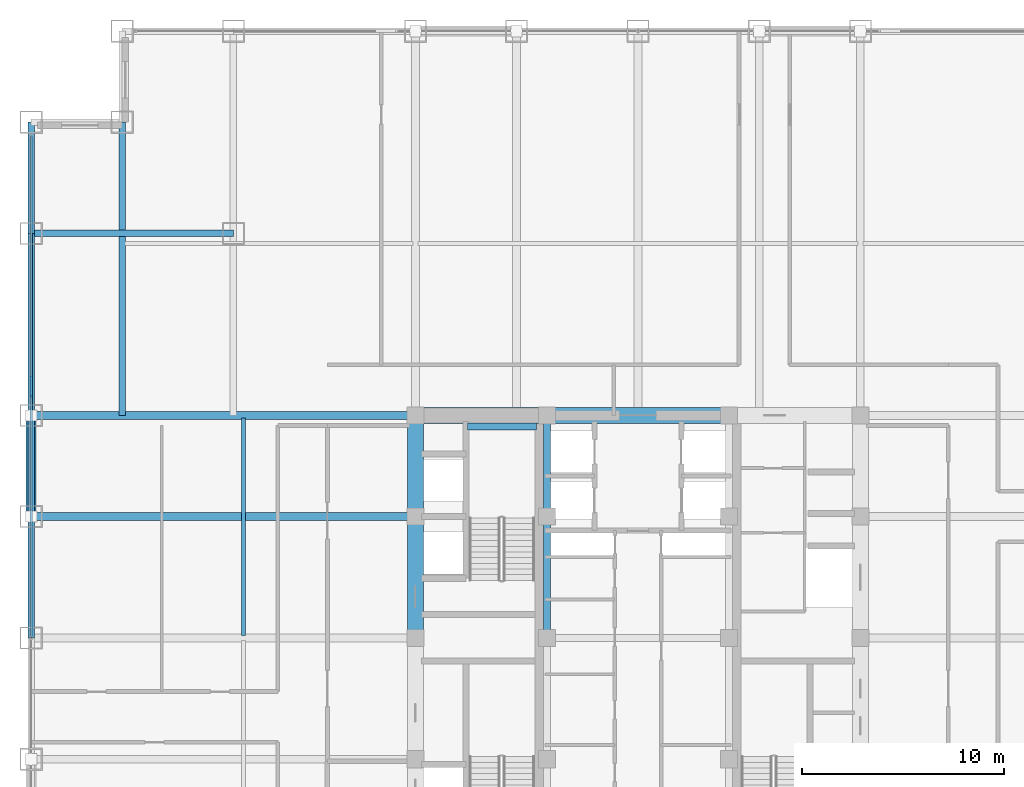
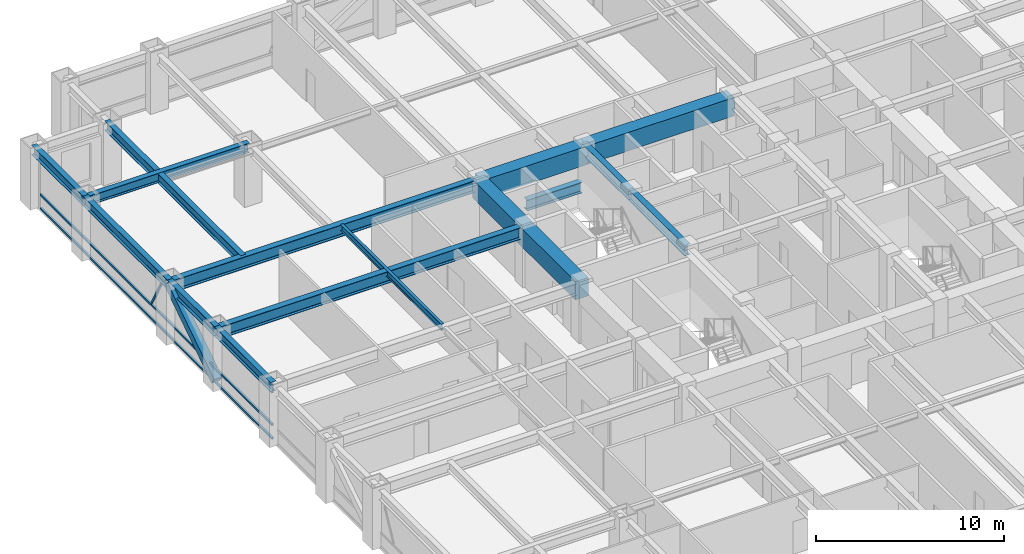
# One storey, part 11 of 24: 16 beams, 5 members, 1 element without a shape of its own.
"""IFC4 building model written with IfcOpenShell, lengths in metres."""

from ifc_helpers import new_model, si_unit, direction, frame, origin, origin_2d, place, context, subcontext, project, spatial, rectangle, hollow_rectangle, i_section, extrude, source, transform, mapped, material, material_profile, profile_set, type_object, element, aggregate, save


model = new_model("IFC4")

# Units and contexts
model_context = context("Model", 3, precision=1e-05, world=origin(), true_north=direction((0.0, 1.0)))
body_context = subcontext(model_context, "Body", "Model", "MODEL_VIEW")
ifc_project = project(units=[si_unit("LENGTHUNIT", "METRE"), si_unit("AREAUNIT", "SQUARE_METRE"), si_unit("VOLUMEUNIT", "CUBIC_METRE"), si_unit("PLANEANGLEUNIT", "RADIAN"), si_unit("MASSUNIT", "GRAM", prefix="KILO")], contexts=[model_context])

# Site, building, storey
site_placement = place(None, origin())
site = spatial("IfcSite", under=ifc_project, at=site_placement, CompositionType="ELEMENT")
building_placement = place(site_placement, origin())
building = spatial("IfcBuilding", under=site, at=building_placement, Name="Khorayat Bourse Tower", CompositionType="ELEMENT")
storey_placement = place(building_placement, frame((0.0, 0.0, 175.10009765625)))
storey = spatial("IfcBuildingStorey", under=building, at=storey_placement, Name="L40", CompositionType="ELEMENT", Elevation=175.10009765625)

# Beams
ifc_material_1 = material(Name="Concrete C72/90", Category="concrete")
ifc_material_profile_1 = material_profile(ifc_material_1, rectangle(XDim=0.800048828125, YDim=1.199951171875, at=origin_2d()), Name="RC 800x1200")
ifc_profile_set_1 = profile_set([ifc_material_profile_1], Name="Concrete C72/90")
beam_type_1 = type_object("IfcBeamType", Name="BM-COUP-1200", PredefinedType="BEAM", material=ifc_profile_set_1)
shared_shape_1 = source(origin(), body_context, "Body", "SweptSolid", [
    extrude(rectangle(XDim=0.800048828125, YDim=1.199951171875, at=origin_2d()), origin(), (0.0, 0.0, 1.0), 5.0),
])
beam_1_placement = place(storey_placement, frame((-11.0, 6.0, 3.179931640625), z_axis=(0.0, 1.0, 0.0), x_axis=(-1.0, 0.0, 0.0)))
element("IfcBeam", 1, at=beam_1_placement, inside=storey, type_object=beam_type_1, Name="L40 BM-COUP-1200 BM-L40-CRX-04", PredefinedType="BEAM", context=body_context, shape_type="MappedRepresentation", body=[
    mapped(shared_shape_1, transform((0.0, 0.0, 0.0), scale=1.0)),
])
shared_shape_2 = source(origin(), body_context, "Body", "SweptSolid", [
    extrude(rectangle(XDim=0.800048828125, YDim=1.199951171875, at=origin_2d()), origin(), (0.0, 0.0, 1.0), 6.0),
])
beam_2_placement = place(storey_placement, frame((-11.0, 0.0, 3.179931640625), z_axis=(0.0, 1.0, 0.0), x_axis=(-1.0, 0.0, 0.0)))
element("IfcBeam", 2, at=beam_2_placement, inside=storey, type_object=beam_type_1, Name="L40 BM-COUP-1200 BM-L40-CRX-03", PredefinedType="BEAM", context=body_context, shape_type="MappedRepresentation", body=[
    mapped(shared_shape_2, transform((0.0, 0.0, 0.0), scale=1.0)),
])
ifc_material_2 = material(Name="Steel ASTM A992 Grade 50", Category="steel")
ifc_material_profile_2 = material_profile(ifc_material_2, i_section(OverallWidth=0.35498046875, OverallDepth=0.695068359375, WebThickness=0.015380859375, FlangeThickness=0.02490234375, FilletRadius=0.01806640625, at=origin_2d()), Name="W690X217")
ifc_profile_set_2 = profile_set([ifc_material_profile_2], Name="Steel ASTM A992 Grade 50")
beam_type_2 = type_object("IfcBeamType", Name="BM-GIRD-690", PredefinedType="BEAM", material=ifc_profile_set_2)
shared_shape_3 = source(origin(), body_context, "Body", "SweptSolid", [
    extrude(i_section(OverallWidth=0.35498046875, OverallDepth=0.695068359375, WebThickness=0.015380859375, FlangeThickness=0.02490234375, FilletRadius=0.01806640625, at=origin_2d()), origin(), (0.0, 0.0, 1.0), 5.0),
])
beam_3_placement = place(storey_placement, frame((-4.5, 6.0, 3.432373046875), z_axis=(0.0, 1.0, 0.0), x_axis=(-1.0, 0.0, 0.0)))
element("IfcBeam", 3, at=beam_3_placement, inside=storey, type_object=beam_type_2, Name="L40 BM-GIRD-690 BM-L40-CRX-08", PredefinedType="BEAM", context=body_context, shape_type="MappedRepresentation", body=[
    mapped(shared_shape_3, transform((0.0, 0.0, 0.0), scale=1.0)),
])
shared_shape_4 = source(origin(), body_context, "Body", "SweptSolid", [
    extrude(i_section(OverallWidth=0.35498046875, OverallDepth=0.695068359375, WebThickness=0.015380859375, FlangeThickness=0.02490234375, FilletRadius=0.01806640625, at=origin_2d()), origin(), (0.0, 0.0, 1.0), 6.0),
])
beam_4_placement = place(storey_placement, frame((-4.5, 0.0, 3.432373046875), z_axis=(0.0, 1.0, 0.0), x_axis=(-1.0, 0.0, 0.0)))
element("IfcBeam", 4, at=beam_4_placement, inside=storey, type_object=beam_type_2, Name="L40 BM-GIRD-690 BM-L40-CRX-07", PredefinedType="BEAM", context=body_context, shape_type="MappedRepresentation", body=[
    mapped(shared_shape_4, transform((0.0, 0.0, 0.0), scale=1.0)),
])
shared_shape_5 = source(origin(), body_context, "Body", "SweptSolid", [
    extrude(rectangle(XDim=0.800048828125, YDim=1.199951171875, at=origin_2d()), origin(), (0.0, 0.0, 1.0), 6.5),
])
beam_5_placement = place(storey_placement, frame((-11.0, 11.0, 3.179931640625), z_axis=(1.0, 0.0, 0.0), x_axis=(0.0, 1.0, 0.0)))
element("IfcBeam", 5, at=beam_5_placement, inside=storey, type_object=beam_type_1, Name="L40 BM-COUP-1200 BM-L40-CRY-20", PredefinedType="BEAM", context=body_context, shape_type="MappedRepresentation", body=[
    mapped(shared_shape_5, transform((0.0, 0.0, 0.0), scale=1.0)),
])
shared_shape_6 = source(origin(), body_context, "Body", "SweptSolid", [
    extrude(rectangle(XDim=0.800048828125, YDim=1.199951171875, at=origin_2d()), origin(), (0.0, 0.0, 1.0), 9.0),
])
beam_6_placement = place(storey_placement, frame((-4.5, 11.0, 3.179931640625), z_axis=(1.0, 0.0, 0.0), x_axis=(0.0, 1.0, 0.0)))
element("IfcBeam", 6, at=beam_6_placement, inside=storey, type_object=beam_type_1, Name="L40 BM-COUP-1200 BM-L40-CRY-21", PredefinedType="BEAM", context=body_context, shape_type="MappedRepresentation", body=[
    mapped(shared_shape_6, transform((0.0, 0.0, 0.0), scale=1.0)),
])
shared_shape_7 = source(origin(), body_context, "Body", "SweptSolid", [
    extrude(i_section(OverallWidth=0.35498046875, OverallDepth=0.695068359375, WebThickness=0.015380859375, FlangeThickness=0.02490234375, FilletRadius=0.01806640625, at=origin_2d()), origin(), (0.0, 0.0, 1.0), 3.39990234375),
])
beam_7_placement = place(storey_placement, frame((-8.419921875, 10.449951171875, 1.452392578125), z_axis=(1.0, 0.0, 0.0), x_axis=(0.0, 1.0, 0.0)))
element("IfcBeam", 7, at=beam_7_placement, inside=storey, type_object=beam_type_2, Name="L40 BM-GIRD-690 BM-L40-ST2L", PredefinedType="BEAM", context=body_context, shape_type="MappedRepresentation", body=[
    mapped(shared_shape_7, transform((0.0, 0.0, 0.0), scale=1.0)),
])
ifc_material_profile_3 = material_profile(ifc_material_2, i_section(OverallWidth=0.381103515625, OverallDepth=0.77294921875, WebThickness=0.0166015625, FlangeThickness=0.027587890625, FilletRadius=0.01806640625, at=origin_2d()), Name="W760X257")
ifc_profile_set_3 = profile_set([ifc_material_profile_3], Name="Steel ASTM A992 Grade 50")
beam_type_3 = type_object("IfcBeamType", Name="BM-GIRD-760", PredefinedType="BEAM", material=ifc_profile_set_3)
shared_shape_8 = source(origin(), body_context, "Body", "SweptSolid", [
    extrude(i_section(OverallWidth=0.381103515625, OverallDepth=0.77294921875, WebThickness=0.0166015625, FlangeThickness=0.027587890625, FilletRadius=0.01806640625, at=origin_2d()), origin(), (0.0, 0.0, 1.0), 19.0),
])
for number, where, z_axis, x_axis, name in (
    (8, (-30.0, 6.0, 3.393310546875), (1.0, 0.0, 0.0), (0.0, 1.0, 0.0), "L40 BM-GIRD-760 BM-L40-RADX-081"),
    (9, (-30.0, 11.0, 3.393310546875), (1.0, 0.0, 0.0), (0.0, 1.0, 0.0), "L40 BM-GIRD-760 BM-L40-RADX-083"),
):
    element("IfcBeam", number, at=place(storey_placement, frame(where, z_axis=z_axis, x_axis=x_axis)), inside=storey, type_object=beam_type_3, Name=name, PredefinedType="BEAM", context=body_context, shape_type="MappedRepresentation", body=[
        mapped(shared_shape_8, transform((0.0, 0.0, 0.0), scale=1.0)),
    ])
ifc_material_profile_4 = material_profile(ifc_material_2, i_section(OverallWidth=0.324951171875, OverallDepth=0.615966796875, WebThickness=0.013916015625, FlangeThickness=0.021484375, FilletRadius=0.01611328125, at=origin_2d()), Name="W610X174")
ifc_profile_set_4 = profile_set([ifc_material_profile_4], Name="Steel ASTM A992 Grade 50")
beam_type_4 = type_object("IfcBeamType", Name="BM-GIRD-610", PredefinedType="BEAM", material=ifc_profile_set_4)
shared_shape_9 = source(origin(), body_context, "Body", "SweptSolid", [
    extrude(i_section(OverallWidth=0.324951171875, OverallDepth=0.615966796875, WebThickness=0.013916015625, FlangeThickness=0.021484375, FilletRadius=0.01611328125, at=origin_2d()), origin(), (0.0, 0.0, 1.0), 14.5),
])
beam_8_placement = place(storey_placement, frame((-25.5, 11.0, 3.471923828125), z_axis=(0.0, 1.0, 0.0), x_axis=(-1.0, 0.0, 0.0)))
element("IfcBeam", 10, at=beam_8_placement, inside=storey, type_object=beam_type_4, Name="L40 BM-GIRD-610 BM-L40-CNRY-089", PredefinedType="BEAM", context=body_context, shape_type="MappedRepresentation", body=[
    mapped(shared_shape_9, transform((0.0, 0.0, 0.0), scale=1.0)),
])
shared_shape_10 = source(origin(), body_context, "Body", "SweptSolid", [
    extrude(i_section(OverallWidth=0.324951171875, OverallDepth=0.615966796875, WebThickness=0.013916015625, FlangeThickness=0.021484375, FilletRadius=0.01611328125, at=origin_2d()), origin(), (0.0, 0.0, 1.0), 10.0),
])
beam_9_placement = place(storey_placement, frame((-30.0, 20.0, 3.471923828125), z_axis=(1.0, 0.0, 0.0), x_axis=(0.0, 1.0, 0.0)))
element("IfcBeam", 11, at=beam_9_placement, inside=storey, type_object=beam_type_4, Name="L40 BM-GIRD-610 BM-L40-CNRX-095", PredefinedType="BEAM", context=body_context, shape_type="MappedRepresentation", body=[
    mapped(shared_shape_10, transform((0.0, 0.0, 0.0), scale=1.0)),
])
ifc_material_profile_5 = material_profile(ifc_material_2, i_section(OverallWidth=0.180908203125, OverallDepth=0.4169921875, WebThickness=0.010986328125, FlangeThickness=0.018310546875, FilletRadius=0.011962890625, at=origin_2d()), Name="W410X85")
ifc_profile_set_5 = profile_set([ifc_material_profile_5], Name="Steel ASTM A992 Grade 50")
beam_type_5 = type_object("IfcBeamType", Name="BM-JOIST-410", PredefinedType="JOIST", material=ifc_profile_set_5)
shared_shape_11 = source(origin(), body_context, "Body", "SweptSolid", [
    extrude(i_section(OverallWidth=0.180908203125, OverallDepth=0.4169921875, WebThickness=0.010986328125, FlangeThickness=0.018310546875, FilletRadius=0.011962890625, at=origin_2d()), origin(), (0.0, 0.0, 1.0), 10.740234375),
])
beam_10_placement = place(storey_placement, frame((-19.5, 0.1298828125, 3.5712890625), z_axis=(0.0, 1.0, 0.0), x_axis=(-1.0, 0.0, 0.0)))
element("IfcBeam", 12, at=beam_10_placement, inside=storey, type_object=beam_type_5, Name="L40 BM-JOIST-410 BM-L40-JSTY-103", PredefinedType="JOIST", context=body_context, shape_type="MappedRepresentation", body=[
    mapped(shared_shape_11, transform((0.0, 0.0, 0.0), scale=1.0)),
])
ifc_material_profile_6 = material_profile(ifc_material_2, i_section(OverallWidth=0.324951171875, OverallDepth=0.615966796875, WebThickness=0.013916015625, FlangeThickness=0.021484375, FilletRadius=0.01611328125, at=origin_2d()), Name="W610X174")
ifc_profile_set_6 = profile_set([ifc_material_profile_6], Name="Steel ASTM A992 Grade 50")
beam_type_6 = type_object("IfcBeamType", Name="BM-SPAN-610", PredefinedType="SPANDREL", material=ifc_profile_set_6)
shared_shape_12 = source(origin(), body_context, "Body", "SweptSolid", [
    extrude(i_section(OverallWidth=0.324951171875, OverallDepth=0.615966796875, WebThickness=0.013916015625, FlangeThickness=0.021484375, FilletRadius=0.01611328125, at=origin_2d()), origin(), (0.0, 0.0, 1.0), 5.5),
])
beam_11_placement = place(storey_placement, frame((-30.0, 20.0, 3.471923828125), z_axis=(0.0, 1.0, 0.0), x_axis=(-1.0, 0.0, 0.0)))
element("IfcBeam", 13, at=beam_11_placement, inside=storey, type_object=beam_type_6, Name="L40 BM-SPAN-610 BM-L40-SPN-054", PredefinedType="SPANDREL", context=body_context, shape_type="MappedRepresentation", body=[
    mapped(shared_shape_12, transform((0.0, 0.0, 0.0), scale=1.0)),
])
shared_shape_13 = source(origin(), body_context, "Body", "SweptSolid", [
    extrude(i_section(OverallWidth=0.324951171875, OverallDepth=0.615966796875, WebThickness=0.013916015625, FlangeThickness=0.021484375, FilletRadius=0.01611328125, at=origin_2d()), origin(), (0.0, 0.0, 1.0), 9.0),
])
beam_12_placement = place(storey_placement, frame((-30.0, 11.0, 3.471923828125), z_axis=(0.0, 1.0, 0.0), x_axis=(-1.0, 0.0, 0.0)))
element("IfcBeam", 14, at=beam_12_placement, inside=storey, type_object=beam_type_6, Name="L40 BM-SPAN-610 BM-L40-SPN-055", PredefinedType="SPANDREL", context=body_context, shape_type="MappedRepresentation", body=[
    mapped(shared_shape_13, transform((0.0, 0.0, 0.0), scale=1.0)),
])
shared_shape_14 = source(origin(), body_context, "Body", "SweptSolid", [
    extrude(i_section(OverallWidth=0.324951171875, OverallDepth=0.615966796875, WebThickness=0.013916015625, FlangeThickness=0.021484375, FilletRadius=0.01611328125, at=origin_2d()), origin(), (0.0, 0.0, 1.0), 5.0),
])
beam_13_placement = place(storey_placement, frame((-30.0, 6.0, 3.471923828125), z_axis=(0.0, 1.0, 0.0), x_axis=(-1.0, 0.0, 0.0)))
element("IfcBeam", 15, at=beam_13_placement, inside=storey, type_object=beam_type_6, Name="L40 BM-SPAN-610 BM-L40-SPN-056", PredefinedType="SPANDREL", context=body_context, shape_type="MappedRepresentation", body=[
    mapped(shared_shape_14, transform((0.0, 0.0, 0.0), scale=1.0)),
])
shared_shape_15 = source(origin(), body_context, "Body", "SweptSolid", [
    extrude(i_section(OverallWidth=0.324951171875, OverallDepth=0.615966796875, WebThickness=0.013916015625, FlangeThickness=0.021484375, FilletRadius=0.01611328125, at=origin_2d()), origin(), (0.0, 0.0, 1.0), 6.0),
])
beam_14_placement = place(storey_placement, frame((-30.0, 0.0, 3.471923828125), z_axis=(0.0, 1.0, 0.0), x_axis=(-1.0, 0.0, 0.0)))
element("IfcBeam", 16, at=beam_14_placement, inside=storey, type_object=beam_type_6, Name="L40 BM-SPAN-610 BM-L40-SPN-057", PredefinedType="SPANDREL", context=body_context, shape_type="MappedRepresentation", body=[
    mapped(shared_shape_15, transform((0.0, 0.0, 0.0), scale=1.0)),
])

# Member
ifc_material_3 = material(Name="Steel EN 10025-4 S460M", Category="steel")
ifc_material_profile_7 = material_profile(ifc_material_3, hollow_rectangle(XDim=0.5, YDim=0.5, WallThickness=0.028076171875, at=origin_2d()), Name="HSS 500x500x28")
ifc_profile_set_7 = profile_set([ifc_material_profile_7], Name="Steel EN 10025-4 S460M")
member_type_1 = type_object("IfcMemberType", Name="MBR-TUBE-500", PredefinedType="BRACE", material=ifc_profile_set_7)
shared_shape_16 = source(origin(), body_context, "Body", "SweptSolid", [
    extrude(hollow_rectangle(XDim=0.5, YDim=0.5, WallThickness=0.028076171875, at=origin_2d()), origin(), (0.0, 0.0, 1.0), 5.979736328125),
])
member_1_placement = place(storey_placement, frame((-30.0, 6.0, 0.25), z_axis=(0.0, 0.836160261256, 0.548485202623), x_axis=(-1.0, 0.0, 0.0)))
element("IfcMember", 17, at=member_1_placement, inside=storey, type_object=member_type_1, Name="L40 Perimeter Tube Brace 06", PredefinedType="BRACE", context=body_context, shape_type="MappedRepresentation", body=[
    mapped(shared_shape_16, transform((0.0, 0.0, 0.0), scale=1.0)),
])

# Curtain wall, members
ifc_material_4 = material(Name="Aluminium EN AW-6063 T6", Category="aluminium")
curtain_wall_type = type_object("IfcCurtainWallType", Name="CW-SYS-03", PredefinedType="NOTDEFINED", material=ifc_material_4)
curtain_wall_placement = place(storey_placement, origin())
curtain_wall = element("IfcCurtainWall", 18, at=curtain_wall_placement, inside=storey, type_object=curtain_wall_type, Name="L40 Curtain Wall CW-L40-W1", PredefinedType="NOTDEFINED")
ifc_material_profile_8 = material_profile(ifc_material_4, hollow_rectangle(XDim=0.1201171875, YDim=0.1201171875, WallThickness=0.0048828125, at=origin_2d()), Name="ALU 120x120x5")
ifc_profile_set_8 = profile_set([ifc_material_profile_8], Name="Aluminium EN AW-6063 T6")
member_type_2 = type_object("IfcMemberType", Name="CWM-DIAG-120", PredefinedType="MULLION", material=ifc_profile_set_8)
shared_shape_17 = source(origin(), body_context, "Body", "SweptSolid", [
    extrude(hollow_rectangle(XDim=0.1201171875, YDim=0.1201171875, WallThickness=0.0048828125, at=origin_2d()), origin(), (0.0, 0.0, 1.0), 2.079345703125),
])
member_2_placement = place(storey_placement, frame((-30.0, 12.904296875, 1.08984375), z_axis=(0.0, -0.465760949701, 0.884910581773), x_axis=(1.0, 0.0, 0.0)))
member_2 = element("IfcMember", 19, at=member_2_placement, type_object=member_type_2, Name="CW-L40-W1 Faceted Diagonal Mullion 2", PredefinedType="MULLION", context=body_context, shape_type="MappedRepresentation", body=[
    mapped(shared_shape_17, transform((0.0, 0.0, 0.0), scale=1.0)),
])
ifc_material_profile_9 = material_profile(ifc_material_4, hollow_rectangle(XDim=0.1201171875, YDim=0.1201171875, WallThickness=0.0048828125, at=origin_2d()), Name="ALU 120x120x5")
ifc_profile_set_9 = profile_set([ifc_material_profile_9], Name="Aluminium EN AW-6063 T6")
member_type_3 = type_object("IfcMemberType", Name="CWT-HORZ-120", PredefinedType="USERDEFINED", material=ifc_profile_set_9)
shared_shape_18 = source(origin(), body_context, "Body", "SweptSolid", [
    extrude(hollow_rectangle(XDim=0.1201171875, YDim=0.1201171875, WallThickness=0.0048828125, at=origin_2d()), origin(), (0.0, 0.0, 1.0), 24.719970703125),
])
member_3_placement = place(storey_placement, frame((-30.0, 0.06005859375, 0.059814453125), z_axis=(0.0, 1.0, 0.0), x_axis=(-1.0, 0.0, 0.0)))
member_3 = element("IfcMember", 20, at=member_3_placement, type_object=member_type_3, Name="CW-L40-W1 Horizontal Transom 2-1", ObjectType="TRANSOM", PredefinedType="USERDEFINED", context=body_context, shape_type="MappedRepresentation", body=[
    mapped(shared_shape_18, transform((0.0, 0.0, 0.0), scale=1.0)),
])
member_4_placement = place(storey_placement, frame((-30.0, 0.06005859375, 0.949951171875), z_axis=(0.0, 1.0, 0.0), x_axis=(-1.0, 0.0, 0.0)))
member_4 = element("IfcMember", 21, at=member_4_placement, type_object=member_type_3, Name="CW-L40-W1 Horizontal Transom 2-2", ObjectType="TRANSOM", PredefinedType="USERDEFINED", context=body_context, shape_type="MappedRepresentation", body=[
    mapped(shared_shape_18, transform((0.0, 0.0, 0.0), scale=1.0)),
])
member_5_placement = place(storey_placement, frame((-30.0, 0.06005859375, 3.06982421875), z_axis=(0.0, 1.0, 0.0), x_axis=(-1.0, 0.0, 0.0)))
member_5 = element("IfcMember", 22, at=member_5_placement, type_object=member_type_3, Name="CW-L40-W1 Horizontal Transom 2-3", ObjectType="TRANSOM", PredefinedType="USERDEFINED", context=body_context, shape_type="MappedRepresentation", body=[
    mapped(shared_shape_18, transform((0.0, 0.0, 0.0), scale=1.0)),
])
aggregate(curtain_wall, [member_3, member_4, member_5, member_2])

save(model, "model.ifc")
